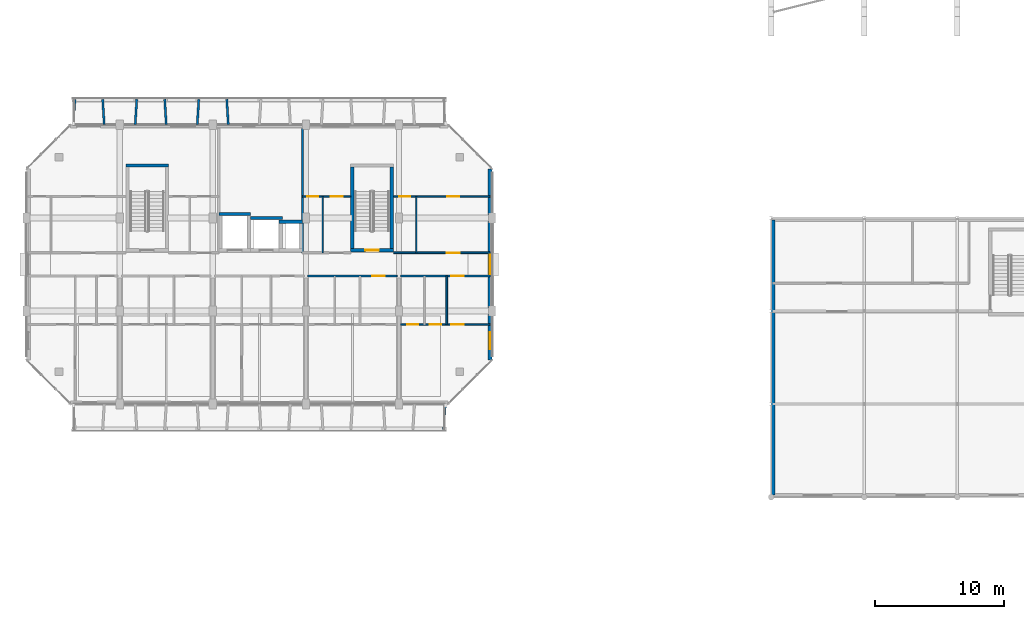
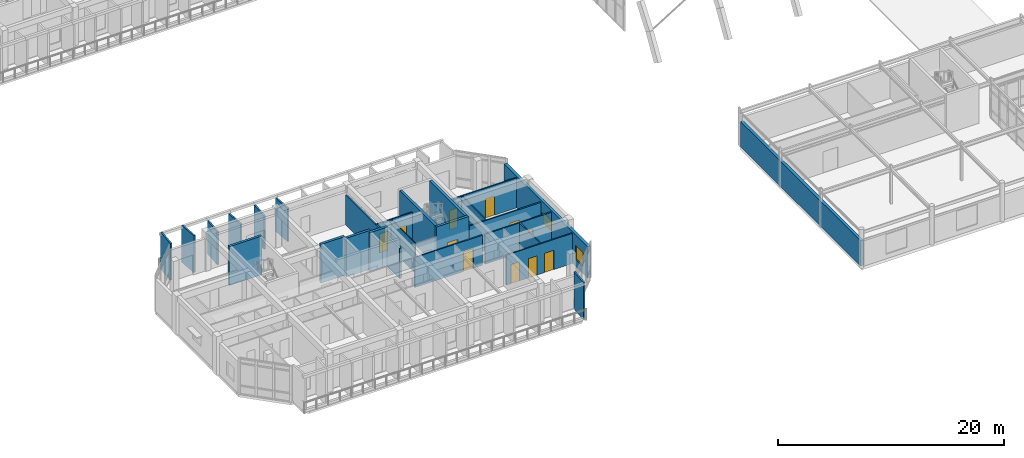
# One storey, part 48 of 85: 26 walls, 11 doors, 2 windows, 13 openings.
"""IFC4 building model written with IfcOpenShell, lengths in metres."""

from ifc_helpers import new_model, si_unit, direction, frame, frame_2d, origin, place, context, subcontext, project, spatial, rectangle, extrude, material, layer, layer_set, type_object, element, fill, save


model = new_model("IFC4")

# Units and contexts
model_context = context("Model", 3, precision=1e-05, world=origin(), true_north=direction((0.0, 1.0)))
body_context = subcontext(model_context, "Body", "Model", "MODEL_VIEW")
ifc_project = project(units=[si_unit("LENGTHUNIT", "METRE"), si_unit("AREAUNIT", "SQUARE_METRE"), si_unit("VOLUMEUNIT", "CUBIC_METRE"), si_unit("PLANEANGLEUNIT", "RADIAN"), si_unit("MASSUNIT", "GRAM", prefix="KILO")], contexts=[model_context])

# Site, building, storey
site_placement = place(None, origin())
site = spatial("IfcSite", under=ifc_project, at=site_placement, CompositionType="ELEMENT")
building_placement = place(site_placement, origin())
building = spatial("IfcBuilding", under=site, at=building_placement, Name="Ochrevale Crest", CompositionType="ELEMENT")
storey_placement = place(building_placement, frame((0.0, 0.0, 4.5)))
storey = spatial("IfcBuildingStorey", under=building, at=storey_placement, Name="L01", CompositionType="ELEMENT", Elevation=4.5)

# Wall, opening, door
ifc_material_1 = material(Name="Gypsum plasterboard", Category="gypsum")
ifc_layer_1 = layer(ifc_material_1, 0.139892578125)
ifc_layer_set_1 = layer_set([ifc_layer_1], Name="Gypsum plasterboard")
wall_type_1 = type_object("IfcWallType", Name="WL-COR-140", PredefinedType="PARTITIONING", material=ifc_layer_set_1)
wall_1_placement = place(storey_placement, frame((21.739990234375, 24.300048828125, 0.0), z_axis=(0.0, 0.0, 1.0), x_axis=(1.0, 0.0, 0.0)))
wall_1 = element("IfcWall", 1, at=wall_1_placement, inside=storey, type_object=wall_type_1, Name="Apartment A-L01-U4 corridor wall", PredefinedType="PARTITIONING", context=body_context, shape_type="SweptSolid", body=[
    extrude(rectangle(XDim=6.919921875, YDim=0.139892578125, at=frame_2d((3.4599609375, 0.0))), origin(), (0.0, 0.0, 1.0), 3.25),
])
opening_1_placement = place(wall_1_placement, frame((5.97509765625, 0.0, 0.0), z_axis=(0.0, 0.0, 1.0), x_axis=(-1.0, 0.0, 0.0)))
opening_1 = element("IfcOpeningElement", 2, at=opening_1_placement, cuts=wall_1, Name="Opening FD01", PredefinedType="OPENING", context=body_context, shape_type="SweptSolid", body=[
    extrude(rectangle(XDim=0.97998046875, YDim=2.10009765625, at=frame_2d((0.489990234375, 1.050048828125))), frame((0.0, 0.080078125, 0.0), z_axis=(0.0, -1.0, 0.0), x_axis=(1.0, 0.0, 0.0)), (0.0, 0.0, 1.0), 0.159912109375),
])
ifc_material_2 = material(Name="Solid-core FSC hardwood", Category="wood")
door_type_1 = type_object("IfcDoorType", Name="DR-APT-950", OperationType="NOTDEFINED", PredefinedType="DOOR", material=ifc_material_2)
door_1_placement = place(opening_1_placement, origin())
door_1 = element("IfcDoor", 3, at=door_1_placement, inside=storey, type_object=door_type_1, Name="Apartment A-L01-U4 entrance door", OperationType="SINGLE_SWING_RIGHT", OverallHeight=2.10009765625, OverallWidth=0.97998046875, PredefinedType="DOOR", context=body_context, shape_type="SweptSolid", body=[
    extrude(rectangle(XDim=0.97998046875, YDim=2.10009765625, at=frame_2d((0.489990234375, 1.050048828125))), frame((0.0, 0.02490234375, 0.0), z_axis=(0.0, -1.0, 0.0), x_axis=(1.0, 0.0, 0.0)), (0.0, 0.0, 1.0), 0.050048828125),
])
fill(opening_1, door_1)

wall_2_placement = place(storey_placement, frame((28.93994140625, 24.300048828125, 0.0), z_axis=(0.0, 0.0, 1.0), x_axis=(1.0, 0.0, 0.0)))
wall_2 = element("IfcWall", 4, at=wall_2_placement, inside=storey, type_object=wall_type_1, Name="Apartment A-L01-U5 corridor wall", PredefinedType="PARTITIONING", context=body_context, shape_type="SweptSolid", body=[
    extrude(rectangle(XDim=6.920166015625, YDim=0.139892578125, at=frame_2d((3.4599609375, 0.0))), origin(), (0.0, 0.0, 1.0), 3.25),
])
opening_2_placement = place(wall_2_placement, frame((4.875, 0.0, 0.0), z_axis=(0.0, 0.0, 1.0), x_axis=(-1.0, 0.0, 0.0)))
opening_2 = element("IfcOpeningElement", 5, at=opening_2_placement, cuts=wall_2, Name="Opening FD01", PredefinedType="OPENING", context=body_context, shape_type="SweptSolid", body=[
    extrude(rectangle(XDim=0.97998046875, YDim=2.10009765625, at=frame_2d((0.489990234375, 1.050048828125))), frame((0.0, 0.080078125, 0.0), z_axis=(0.0, -1.0, 0.0), x_axis=(1.0, 0.0, 0.0)), (0.0, 0.0, 1.0), 0.159912109375),
])
door_2_placement = place(opening_2_placement, origin())
door_2 = element("IfcDoor", 6, at=door_2_placement, inside=storey, type_object=door_type_1, Name="Apartment A-L01-U5 entrance door", OperationType="SINGLE_SWING_RIGHT", OverallHeight=2.10009765625, OverallWidth=0.97998046875, PredefinedType="DOOR", context=body_context, shape_type="SweptSolid", body=[
    extrude(rectangle(XDim=0.97998046875, YDim=2.10009765625, at=frame_2d((0.489990234375, 1.050048828125))), frame((0.0, 0.02490234375, 0.0), z_axis=(0.0, -1.0, 0.0), x_axis=(1.0, 0.0, 0.0)), (0.0, 0.0, 1.0), 0.050048828125),
])
fill(opening_2, door_2)

wall_3_placement = place(storey_placement, frame((28.389892578125, 26.10009765625, 0.0), z_axis=(0.0, 0.0, 1.0), x_axis=(1.0, 0.0, 0.0)))
wall_3 = element("IfcWall", 7, at=wall_3_placement, inside=storey, type_object=wall_type_1, Name="Suite A-L01-CE corridor wall", PredefinedType="PARTITIONING", context=body_context, shape_type="SweptSolid", body=[
    extrude(rectangle(XDim=7.47021484375, YDim=0.139892578125, at=frame_2d((3.735107421875, 0.0))), origin(), (0.0, 0.0, 1.0), 3.25),
])
opening_3_placement = place(wall_3_placement, frame((4.1201171875, 0.0, 0.0)))
opening_3 = element("IfcOpeningElement", 8, at=opening_3_placement, cuts=wall_3, Name="Opening FD01", PredefinedType="OPENING", context=body_context, shape_type="SweptSolid", body=[
    extrude(rectangle(XDim=0.97998046875, YDim=2.10009765625, at=frame_2d((0.489990234375, 1.050048828125))), frame((0.0, 0.080078125, 0.0), z_axis=(0.0, -1.0, 0.0), x_axis=(1.0, 0.0, 0.0)), (0.0, 0.0, 1.0), 0.159912109375),
])
door_3_placement = place(opening_3_placement, origin())
door_3 = element("IfcDoor", 9, at=door_3_placement, inside=storey, type_object=door_type_1, Name="Suite A-L01-CE entrance door", OperationType="SINGLE_SWING_LEFT", OverallHeight=2.10009765625, OverallWidth=0.97998046875, PredefinedType="DOOR", context=body_context, shape_type="SweptSolid", body=[
    extrude(rectangle(XDim=0.97998046875, YDim=2.10009765625, at=frame_2d((0.489990234375, 1.050048828125))), frame((0.0, 0.02490234375, 0.0), z_axis=(0.0, -1.0, 0.0), x_axis=(1.0, 0.0, 0.0)), (0.0, 0.0, 1.0), 0.050048828125),
])
fill(opening_3, door_3)

# Wall
ifc_material_3 = material(Name="Precast concrete C50/60", Category="concrete")
ifc_layer_2 = layer(ifc_material_3, 0.2548828125)
ifc_layer_set_2 = layer_set([ifc_layer_2], Name="Precast concrete C50/60")
wall_type_2 = type_object("IfcWallType", Name="WL-CORE-255", PredefinedType="SHEAR", material=ifc_layer_set_2)
wall_4_placement = place(storey_placement, frame((7.672607421875, 32.85009765625, 0.0), z_axis=(0.0, 0.0, 1.0), x_axis=(1.0, 0.0, 0.0)))
element("IfcWall", 10, at=wall_4_placement, inside=storey, type_object=wall_type_2, Name="Block A L01 Stair 1 precast core shear wall N", PredefinedType="SHEAR", context=body_context, shape_type="SweptSolid", body=[
    extrude(rectangle(XDim=3.304931640625, YDim=0.2548828125, at=frame_2d((1.65234375, 0.0))), origin(), (0.0, 0.0, 1.0), 4.199951171875),
])

# Wall, opening, door
wall_5_placement = place(storey_placement, frame((25.072509765625, 26.300048828125, 0.0), z_axis=(0.0, 0.0, 1.0), x_axis=(1.0, 0.0, 0.0)))
wall_5 = element("IfcWall", 11, at=wall_5_placement, inside=storey, type_object=wall_type_2, Name="Block A L01 Stair 2 precast core shear wall S", PredefinedType="SHEAR", context=body_context, shape_type="SweptSolid", body=[
    extrude(rectangle(XDim=3.304931640625, YDim=0.2548828125, at=frame_2d((1.65234375, 0.0))), origin(), (0.0, 0.0, 1.0), 4.199951171875),
])
opening_4_placement = place(wall_5_placement, frame((1.12744140625, 0.0, 0.0)))
opening_4 = element("IfcOpeningElement", 12, at=opening_4_placement, cuts=wall_5, Name="Opening FD03", PredefinedType="OPENING", context=body_context, shape_type="SweptSolid", body=[
    extrude(rectangle(XDim=1.050048828125, YDim=2.1201171875, at=frame_2d((0.52490234375, 1.06005859375))), frame((0.0, 0.137451171875, 0.0), z_axis=(0.0, -1.0, 0.0), x_axis=(1.0, 0.0, 0.0)), (0.0, 0.0, 1.0), 0.27490234375),
])
door_type_2 = type_object("IfcDoorType", Name="DR-ST-1050", OperationType="NOTDEFINED", PredefinedType="DOOR", material=ifc_material_2)
door_4_placement = place(opening_4_placement, origin())
door_4 = element("IfcDoor", 13, at=door_4_placement, inside=storey, type_object=door_type_2, Name="Block A L01 fire stair 2 door", OperationType="SINGLE_SWING_LEFT", OverallHeight=2.1201171875, OverallWidth=1.050048828125, PredefinedType="DOOR", context=body_context, shape_type="SweptSolid", body=[
    extrude(rectangle(XDim=1.050048828125, YDim=2.1201171875, at=frame_2d((0.52490234375, 1.06005859375))), frame((0.0, 0.02490234375, 0.0), z_axis=(0.0, -1.0, 0.0), x_axis=(1.0, 0.0, 0.0)), (0.0, 0.0, 1.0), 0.050048828125),
])
fill(opening_4, door_4)

# Walls
for number, where, z_axis, x_axis, name in (
    (14, (25.199951171875, 26.427490234375, 0.0), (0.0, 0.0, 1.0), (0.0, 1.0, 0.0), "Block A L01 Stair 2 precast core shear wall W"),
    (15, (28.25, 26.427490234375, 0.0), (0.0, 0.0, 1.0), (0.0, 1.0, 0.0), "Block A L01 Stair 2 precast core shear wall E"),
):
    element("IfcWall", number, at=place(storey_placement, frame(where, z_axis=z_axis, x_axis=x_axis)), inside=storey, type_object=wall_type_2, Name=name, PredefinedType="SHEAR", context=body_context, shape_type="SweptSolid", body=[
        extrude(rectangle(XDim=6.294921875, YDim=0.2548828125, at=frame_2d((3.1474609375, 0.0))), origin(), (0.0, 0.0, 1.0), 4.199951171875),
    ])
wall_6_placement = place(storey_placement, frame((14.87255859375, 29.10009765625, 0.0), z_axis=(0.0, 0.0, 1.0), x_axis=(1.0, 0.0, 0.0)))
element("IfcWall", 16, at=wall_6_placement, inside=storey, type_object=wall_type_2, Name="Block A L01 Lift 1 precast shaft shear wall N", PredefinedType="SHEAR", context=body_context, shape_type="SweptSolid", body=[
    extrude(rectangle(XDim=2.454833984375, YDim=0.2548828125, at=frame_2d((1.2275390625, 0.0))), origin(), (0.0, 0.0, 1.0), 4.199951171875),
])
wall_7_placement = place(storey_placement, frame((17.322509765625, 28.800048828125, 0.0), z_axis=(0.0, 0.0, 1.0), x_axis=(1.0, 0.0, 0.0)))
element("IfcWall", 17, at=wall_7_placement, inside=storey, type_object=wall_type_2, Name="Block A L01 Lift 2 precast shaft shear wall N", PredefinedType="SHEAR", context=body_context, shape_type="SweptSolid", body=[
    extrude(rectangle(XDim=2.455078125, YDim=0.2548828125, at=frame_2d((1.2275390625, 0.0))), origin(), (0.0, 0.0, 1.0), 4.199951171875),
])
wall_8_placement = place(storey_placement, frame((19.5224609375, 28.5, 0.0), z_axis=(0.0, 0.0, 1.0), x_axis=(1.0, 0.0, 0.0)))
element("IfcWall", 18, at=wall_8_placement, inside=storey, type_object=wall_type_2, Name="Block A L01 services riser shaft core wall N", PredefinedType="SHEAR", context=body_context, shape_type="SweptSolid", body=[
    extrude(rectangle(XDim=1.804931640625, YDim=0.2548828125, at=frame_2d((0.90234375, 0.0))), origin(), (0.0, 0.0, 1.0), 4.199951171875),
])

# Wall, openings, windows
ifc_material_4 = material(Name="Clay face brickwork", Category="masonry")
ifc_layer_3 = layer(ifc_material_4, 0.2900390625)
ifc_layer_set_3 = layer_set([ifc_layer_3], Name="Clay face brickwork")
wall_type_3 = type_object("IfcWallType", Name="WL-EXT-BRICK-290", PredefinedType="SOLIDWALL", material=ifc_layer_set_3)
wall_9_placement = place(storey_placement, frame((35.85498046875, 17.800048828125, 0.0), z_axis=(0.0, 0.0, 1.0), x_axis=(0.0, 1.0, 0.0)))
wall_9 = element("IfcWall", 19, at=wall_9_placement, inside=storey, type_object=wall_type_3, Name="Block A L01 external facade wall E3", PredefinedType="SOLIDWALL", context=body_context, shape_type="SweptSolid", body=[
    extrude(rectangle(XDim=14.800048828125, YDim=0.2900390625, at=frame_2d((7.39990234375, 0.0))), origin(), (0.0, 0.0, 1.0), 3.429931640625),
])
opening_5_placement = place(wall_9_placement, frame((6.64990234375, 0.0, 1.050048828125)))
opening_5 = element("IfcOpeningElement", 20, at=opening_5_placement, cuts=wall_9, Name="Opening W18", PredefinedType="OPENING", context=body_context, shape_type="SweptSolid", body=[
    extrude(rectangle(XDim=1.5, YDim=1.14990234375, at=frame_2d((0.75, 0.574951171875))), frame((0.0, 0.155029296875, 0.0), z_axis=(0.0, -1.0, 0.0), x_axis=(1.0, 0.0, 0.0)), (0.0, 0.0, 1.0), 0.31005859375),
])
opening_6_placement = place(wall_9_placement, frame((0.840087890625, 0.0, 0.75)))
opening_6 = element("IfcOpeningElement", 21, at=opening_6_placement, cuts=wall_9, Name="Opening W30", PredefinedType="OPENING", context=body_context, shape_type="SweptSolid", body=[
    extrude(rectangle(XDim=1.300048828125, YDim=1.550048828125, at=frame_2d((0.64990234375, 0.77490234375))), frame((0.0, 0.155029296875, 0.0), z_axis=(0.0, -1.0, 0.0), x_axis=(1.0, 0.0, 0.0)), (0.0, 0.0, 1.0), 0.31005859375),
])
ifc_material_5 = material(Name="Anodised aluminium 6063-T5 and low-E double glazing", Category="aluminium")
window_type_1 = type_object("IfcWindowType", Name="WIN-W18", PartitioningType="SINGLE_PANEL", PredefinedType="WINDOW", material=ifc_material_5)
window_1_placement = place(opening_5_placement, origin())
window_1 = element("IfcWindow", 22, at=window_1_placement, inside=storey, type_object=window_type_1, Name="Block A L01 corridor end daylight window E", OverallHeight=1.14990234375, OverallWidth=1.5, PartitioningType="SINGLE_PANEL", PredefinedType="WINDOW", context=body_context, shape_type="SweptSolid", body=[
    extrude(rectangle(XDim=1.5, YDim=1.14990234375, at=frame_2d((0.75, 0.574951171875))), frame((0.0, 0.030029296875, 0.0), z_axis=(0.0, -1.0, 0.0), x_axis=(1.0, 0.0, 0.0)), (0.0, 0.0, 1.0), 0.06005859375),
])
fill(opening_5, window_1)
window_type_2 = type_object("IfcWindowType", Name="WIN-W30", PartitioningType="SINGLE_PANEL", PredefinedType="WINDOW", material=ifc_material_5)
window_2_placement = place(opening_6_placement, origin())
window_2 = element("IfcWindow", 23, at=window_2_placement, inside=storey, type_object=window_type_2, Name="Block A L01 side suite window E", OverallHeight=1.550048828125, OverallWidth=1.300048828125, PartitioningType="SINGLE_PANEL", PredefinedType="WINDOW", context=body_context, shape_type="SweptSolid", body=[
    extrude(rectangle(XDim=1.300048828125, YDim=1.550048828125, at=frame_2d((0.64990234375, 0.77490234375))), frame((0.0, 0.030029296875, 0.0), z_axis=(0.0, -1.0, 0.0), x_axis=(1.0, 0.0, 0.0)), (0.0, 0.0, 1.0), 0.06005859375),
])
fill(opening_6, window_2)

# Walls
wall_10_placement = place(storey_placement, frame((57.75, 7.35009765625, 0.0), z_axis=(0.0, 0.0, 1.0), x_axis=(0.0, 1.0, 0.0)))
element("IfcWall", 24, at=wall_10_placement, inside=storey, type_object=wall_type_3, Name="Upper Retail Arcade W brick wall", PredefinedType="SOLIDWALL", context=body_context, shape_type="SweptSolid", body=[
    extrude(rectangle(XDim=21.2998046875, YDim=0.2900390625, at=frame_2d((10.64990234375, 0.0))), origin(), (0.0, 0.0, 1.0), 2.739990234375),
])
ifc_material_6 = material(Name="Precast concrete C40/50", Category="concrete")
ifc_layer_4 = layer(ifc_material_6, 0.1650390625)
ifc_layer_set_4 = layer_set([ifc_layer_4], Name="Precast concrete C40/50")
wall_type_4 = type_object("IfcWallType", Name="WL-HC-CHEEK-165", PredefinedType="ELEMENTEDWALL", material=ifc_layer_set_4)
for number, where, z_axis, x_axis, name in (
    (25, (32.39990234375, 14.3798828125, 0.0), (0.0, 0.0, 1.0), (-0.071194071069, -0.997462482625, 0.0), "Block A L01 S precast honeycomb cheek 13"),
    (26, (3.60009765625, 36.02001953125, 0.0), (0.0, 0.0, 1.0), (0.071194071069, 0.997462482625, 0.0), "Block A L01 N precast honeycomb cheek 1"),
):
    element("IfcWall", number, at=place(storey_placement, frame(where, z_axis=z_axis, x_axis=x_axis)), inside=storey, type_object=wall_type_4, Name=name, PredefinedType="ELEMENTEDWALL", context=body_context, shape_type="SweptSolid", body=[
        extrude(rectangle(XDim=1.96484375, YDim=0.1650390625, at=frame_2d((0.982421875, 0.0))), origin(), (0.0, 0.0, 1.0), 4.0),
    ])
wall_11_placement = place(storey_placement, frame((6.0, 36.02001953125, 0.0), z_axis=(0.0, 0.0, 1.0), x_axis=(-0.061170732449, 0.998127317276, 0.0)))
element("IfcWall", 27, at=wall_11_placement, inside=storey, type_object=wall_type_4, Name="Block A L01 N precast honeycomb cheek 2", PredefinedType="ELEMENTEDWALL", context=body_context, shape_type="SweptSolid", body=[
    extrude(rectangle(XDim=1.963623046875, YDim=0.1650390625, at=frame_2d((0.98193359375, 0.0))), origin(), (0.0, 0.0, 1.0), 4.0),
])
for number, where, z_axis, x_axis, name in (
    (28, (8.39990234375, 36.02001953125, 0.0), (0.0, 0.0, 1.0), (0.061170732449, 0.998127317276, 0.0), "Block A L01 N precast honeycomb cheek 3"),
    (29, (10.800048828125, 36.02001953125, 0.0), (0.0, 0.0, 1.0), (-0.061170732449, 0.998127317276, 0.0), "Block A L01 N precast honeycomb cheek 4"),
    (30, (13.199951171875, 36.02001953125, 0.0), (0.0, 0.0, 1.0), (0.061170732449, 0.998127317276, 0.0), "Block A L01 N precast honeycomb cheek 5"),
):
    element("IfcWall", number, at=place(storey_placement, frame(where, z_axis=z_axis, x_axis=x_axis)), inside=storey, type_object=wall_type_4, Name=name, PredefinedType="ELEMENTEDWALL", context=body_context, shape_type="SweptSolid", body=[
        extrude(rectangle(XDim=1.963623046875, YDim=0.1650390625, at=frame_2d((0.98193359375, 0.0))), origin(), (0.0, 0.0, 1.0), 3.580078125),
    ])
wall_12_placement = place(storey_placement, frame((15.60009765625, 36.02001953125, 0.0), z_axis=(0.0, 0.0, 1.0), x_axis=(-0.061170732449, 0.998127317276, 0.0)))
element("IfcWall", 31, at=wall_12_placement, inside=storey, type_object=wall_type_4, Name="Block A L01 N precast honeycomb cheek 6", PredefinedType="ELEMENTEDWALL", context=body_context, shape_type="SweptSolid", body=[
    extrude(rectangle(XDim=1.963623046875, YDim=0.1650390625, at=frame_2d((0.98193359375, 0.0))), origin(), (0.0, 0.0, 1.0), 3.60009765625),
])
ifc_layer_5 = layer(ifc_material_1, 0.1201171875)
ifc_layer_set_5 = layer_set([ifc_layer_5], Name="Gypsum plasterboard")
wall_type_5 = type_object("IfcWallType", Name="WL-PART-120", PredefinedType="PARTITIONING", material=ifc_layer_set_5)
wall_13_placement = place(storey_placement, frame((32.5, 20.550048828125, 0.0), z_axis=(0.0, 0.0, 1.0), x_axis=(0.0, 1.0, 0.0)))
element("IfcWall", 32, at=wall_13_placement, inside=storey, type_object=wall_type_5, Name="Apartment A-L01-U5 kitchen-foyer wall", PredefinedType="PARTITIONING", context=body_context, shape_type="SweptSolid", body=[
    extrude(rectangle(XDim=3.75, YDim=0.1201171875, at=frame_2d((1.875, 0.0))), origin(), (0.0, 0.0, 1.0), 3.25),
])

# Wall, openings, doors
wall_14_placement = place(storey_placement, frame((28.93994140625, 20.550048828125, 0.0), z_axis=(0.0, 0.0, 1.0), x_axis=(1.0, 0.0, 0.0)))
wall_14 = element("IfcWall", 33, at=wall_14_placement, inside=storey, type_object=wall_type_5, Name="Apartment A-L01-U5 central partition", PredefinedType="PARTITIONING", context=body_context, shape_type="SweptSolid", body=[
    extrude(rectangle(XDim=6.920166015625, YDim=0.1201171875, at=frame_2d((3.4599609375, 0.0))), origin(), (0.0, 0.0, 1.0), 3.25),
])
opening_7_placement = place(wall_14_placement, frame((0.5, 0.0, 0.0)))
opening_7 = element("IfcOpeningElement", 34, at=opening_7_placement, cuts=wall_14, Name="Opening ID01", PredefinedType="OPENING", context=body_context, shape_type="SweptSolid", body=[
    extrude(rectangle(XDim=0.85009765625, YDim=2.080078125, at=frame_2d((0.425048828125, 1.0400390625))), frame((0.0, 0.070068359375, 0.0), z_axis=(0.0, -1.0, 0.0), x_axis=(1.0, 0.0, 0.0)), (0.0, 0.0, 1.0), 0.14013671875),
])
opening_8_placement = place(wall_14_placement, frame((3.15478515625, 0.0, 0.0), z_axis=(0.0, 0.0, 1.0), x_axis=(-1.0, 0.0, 0.0)))
opening_8 = element("IfcOpeningElement", 35, at=opening_8_placement, cuts=wall_14, Name="Opening ID02", PredefinedType="OPENING", context=body_context, shape_type="SweptSolid", body=[
    extrude(rectangle(XDim=0.89990234375, YDim=2.080078125, at=frame_2d((0.449951171875, 1.0400390625))), frame((0.0, 0.070068359375, 0.0), z_axis=(0.0, -1.0, 0.0), x_axis=(1.0, 0.0, 0.0)), (0.0, 0.0, 1.0), 0.14013671875),
])
opening_9_placement = place(wall_14_placement, frame((3.909912109375, 0.0, 0.0)))
opening_9 = element("IfcOpeningElement", 36, at=opening_9_placement, cuts=wall_14, Name="Opening ID06", PredefinedType="OPENING", context=body_context, shape_type="SweptSolid", body=[
    extrude(rectangle(XDim=0.949951171875, YDim=2.080078125, at=frame_2d((0.47509765625, 1.0400390625))), frame((0.0, 0.070068359375, 0.0), z_axis=(0.0, -1.0, 0.0), x_axis=(1.0, 0.0, 0.0)), (0.0, 0.0, 1.0), 0.14013671875),
])
door_type_3 = type_object("IfcDoorType", Name="DR-INT-900", OperationType="NOTDEFINED", PredefinedType="DOOR", material=ifc_material_2)
door_5_placement = place(opening_8_placement, origin())
door_5 = element("IfcDoor", 37, at=door_5_placement, inside=storey, type_object=door_type_3, Name="Apartment A-L01-U5 Kitchen door", OperationType="SINGLE_SWING_RIGHT", OverallHeight=2.080078125, OverallWidth=0.89990234375, PredefinedType="DOOR", context=body_context, shape_type="SweptSolid", body=[
    extrude(rectangle(XDim=0.89990234375, YDim=2.080078125, at=frame_2d((0.449951171875, 1.0400390625))), frame((0.0, 0.02490234375, 0.0), z_axis=(0.0, -1.0, 0.0), x_axis=(1.0, 0.0, 0.0)), (0.0, 0.0, 1.0), 0.050048828125),
])
fill(opening_8, door_5)
door_type_4 = type_object("IfcDoorType", Name="DR-INT-950", OperationType="NOTDEFINED", PredefinedType="DOOR", material=ifc_material_2)
door_6_placement = place(opening_9_placement, origin())
door_6 = element("IfcDoor", 38, at=door_6_placement, inside=storey, type_object=door_type_4, Name="Apartment A-L01-U5 Living Foyer door", OperationType="SINGLE_SWING_LEFT", OverallHeight=2.080078125, OverallWidth=0.949951171875, PredefinedType="DOOR", context=body_context, shape_type="SweptSolid", body=[
    extrude(rectangle(XDim=0.949951171875, YDim=2.080078125, at=frame_2d((0.47509765625, 1.0400390625))), frame((0.0, 0.02490234375, 0.0), z_axis=(0.0, -1.0, 0.0), x_axis=(1.0, 0.0, 0.0)), (0.0, 0.0, 1.0), 0.050048828125),
])
fill(opening_9, door_6)
door_type_5 = type_object("IfcDoorType", Name="DR-WC-850", OperationType="NOTDEFINED", PredefinedType="DOOR", material=ifc_material_2)
door_7_placement = place(opening_7_placement, origin())
door_7 = element("IfcDoor", 39, at=door_7_placement, inside=storey, type_object=door_type_5, Name="Apartment A-L01-U5 Bathroom door", OperationType="SINGLE_SWING_LEFT", OverallHeight=2.080078125, OverallWidth=0.85009765625, PredefinedType="DOOR", context=body_context, shape_type="SweptSolid", body=[
    extrude(rectangle(XDim=0.85009765625, YDim=2.080078125, at=frame_2d((0.425048828125, 1.0400390625))), frame((0.0, 0.02490234375, 0.0), z_axis=(0.0, -1.0, 0.0), x_axis=(1.0, 0.0, 0.0)), (0.0, 0.0, 1.0), 0.050048828125),
])
fill(opening_7, door_7)

wall_15_placement = place(storey_placement, frame((21.340087890625, 30.449951171875, 0.0), z_axis=(0.0, 0.0, 1.0), x_axis=(1.0, 0.0, 0.0)))
wall_15 = element("IfcWall", 40, at=wall_15_placement, inside=storey, type_object=wall_type_5, Name="Suite A-L01-ME internal wall", PredefinedType="PARTITIONING", context=body_context, shape_type="SweptSolid", body=[
    extrude(rectangle(XDim=3.719970703125, YDim=0.1201171875, at=frame_2d((1.85986328125, 0.0))), origin(), (0.0, 0.0, 1.0), 3.25),
])
opening_10_placement = place(wall_15_placement, frame((0.356201171875, 0.0, 0.0)))
opening_10 = element("IfcOpeningElement", 41, at=opening_10_placement, cuts=wall_15, Name="Opening ID01", PredefinedType="OPENING", context=body_context, shape_type="SweptSolid", body=[
    extrude(rectangle(XDim=0.85009765625, YDim=2.080078125, at=frame_2d((0.425048828125, 1.0400390625))), frame((0.0, 0.070068359375, 0.0), z_axis=(0.0, -1.0, 0.0), x_axis=(1.0, 0.0, 0.0)), (0.0, 0.0, 1.0), 0.14013671875),
])
opening_11_placement = place(wall_15_placement, frame((3.10107421875, 0.0, 0.0), z_axis=(0.0, 0.0, 1.0), x_axis=(-1.0, 0.0, 0.0)))
opening_11 = element("IfcOpeningElement", 42, at=opening_11_placement, cuts=wall_15, Name="Opening ID04", PredefinedType="OPENING", context=body_context, shape_type="SweptSolid", body=[
    extrude(rectangle(XDim=0.919921875, YDim=2.080078125, at=frame_2d((0.4599609375, 1.0400390625))), frame((0.0, 0.070068359375, 0.0), z_axis=(0.0, -1.0, 0.0), x_axis=(1.0, 0.0, 0.0)), (0.0, 0.0, 1.0), 0.14013671875),
])
door_type_6 = type_object("IfcDoorType", Name="DR-INT-920", OperationType="NOTDEFINED", PredefinedType="DOOR", material=ifc_material_2)
door_8_placement = place(opening_11_placement, origin())
door_8 = element("IfcDoor", 43, at=door_8_placement, inside=storey, type_object=door_type_6, Name="Suite A-L01-ME Garden Alcove Studio door", OperationType="SINGLE_SWING_RIGHT", OverallHeight=2.080078125, OverallWidth=0.919921875, PredefinedType="DOOR", context=body_context, shape_type="SweptSolid", body=[
    extrude(rectangle(XDim=0.919921875, YDim=2.080078125, at=frame_2d((0.4599609375, 1.0400390625))), frame((0.0, 0.02490234375, 0.0), z_axis=(0.0, -1.0, 0.0), x_axis=(1.0, 0.0, 0.0)), (0.0, 0.0, 1.0), 0.050048828125),
])
fill(opening_11, door_8)
door_9_placement = place(opening_10_placement, origin())
door_9 = element("IfcDoor", 44, at=door_9_placement, inside=storey, type_object=door_type_5, Name="Suite A-L01-ME Bathroom door", OperationType="SINGLE_SWING_LEFT", OverallHeight=2.080078125, OverallWidth=0.85009765625, PredefinedType="DOOR", context=body_context, shape_type="SweptSolid", body=[
    extrude(rectangle(XDim=0.85009765625, YDim=2.080078125, at=frame_2d((0.425048828125, 1.0400390625))), frame((0.0, 0.02490234375, 0.0), z_axis=(0.0, -1.0, 0.0), x_axis=(1.0, 0.0, 0.0)), (0.0, 0.0, 1.0), 0.050048828125),
])
fill(opening_10, door_9)

wall_16_placement = place(storey_placement, frame((28.389892578125, 30.449951171875, 0.0), z_axis=(0.0, 0.0, 1.0), x_axis=(1.0, 0.0, 0.0)))
wall_16 = element("IfcWall", 45, at=wall_16_placement, inside=storey, type_object=wall_type_5, Name="Suite A-L01-CE internal wall", PredefinedType="PARTITIONING", context=body_context, shape_type="SweptSolid", body=[
    extrude(rectangle(XDim=7.47021484375, YDim=0.1201171875, at=frame_2d((3.735107421875, 0.0))), origin(), (0.0, 0.0, 1.0), 3.25),
])
opening_12_placement = place(wall_16_placement, frame((1.300048828125, 0.0, 0.0), z_axis=(0.0, 0.0, 1.0), x_axis=(-1.0, 0.0, 0.0)))
opening_12 = element("IfcOpeningElement", 46, at=opening_12_placement, cuts=wall_16, Name="Opening ID01", PredefinedType="OPENING", context=body_context, shape_type="SweptSolid", body=[
    extrude(rectangle(XDim=0.85009765625, YDim=2.080078125, at=frame_2d((0.425048828125, 1.0400390625))), frame((0.0, 0.070068359375, 0.0), z_axis=(0.0, -1.0, 0.0), x_axis=(1.0, 0.0, 0.0)), (0.0, 0.0, 1.0), 0.14013671875),
])
opening_13_placement = place(wall_16_placement, frame((4.14990234375, 0.0, 0.0)))
opening_13 = element("IfcOpeningElement", 47, at=opening_13_placement, cuts=wall_16, Name="Opening ID04", PredefinedType="OPENING", context=body_context, shape_type="SweptSolid", body=[
    extrude(rectangle(XDim=0.919921875, YDim=2.080078125, at=frame_2d((0.4599609375, 1.0400390625))), frame((0.0, 0.070068359375, 0.0), z_axis=(0.0, -1.0, 0.0), x_axis=(1.0, 0.0, 0.0)), (0.0, 0.0, 1.0), 0.14013671875),
])
door_10_placement = place(opening_13_placement, origin())
door_10 = element("IfcDoor", 48, at=door_10_placement, inside=storey, type_object=door_type_6, Name="Suite A-L01-CE Master Bedroom door", OperationType="SINGLE_SWING_LEFT", OverallHeight=2.080078125, OverallWidth=0.919921875, PredefinedType="DOOR", context=body_context, shape_type="SweptSolid", body=[
    extrude(rectangle(XDim=0.919921875, YDim=2.080078125, at=frame_2d((0.4599609375, 1.0400390625))), frame((0.0, 0.02490234375, 0.0), z_axis=(0.0, -1.0, 0.0), x_axis=(1.0, 0.0, 0.0)), (0.0, 0.0, 1.0), 0.050048828125),
])
fill(opening_13, door_10)
door_11_placement = place(opening_12_placement, origin())
door_11 = element("IfcDoor", 49, at=door_11_placement, inside=storey, type_object=door_type_5, Name="Suite A-L01-CE Bathroom door", OperationType="SINGLE_SWING_RIGHT", OverallHeight=2.080078125, OverallWidth=0.85009765625, PredefinedType="DOOR", context=body_context, shape_type="SweptSolid", body=[
    extrude(rectangle(XDim=0.85009765625, YDim=2.080078125, at=frame_2d((0.425048828125, 1.0400390625))), frame((0.0, 0.02490234375, 0.0), z_axis=(0.0, -1.0, 0.0), x_axis=(1.0, 0.0, 0.0)), (0.0, 0.0, 1.0), 0.050048828125),
])
fill(opening_12, door_11)

# Walls
ifc_layer_6 = layer(ifc_material_1, 0.169921875)
ifc_layer_set_6 = layer_set([ifc_layer_6], Name="Gypsum plasterboard")
wall_type_6 = type_object("IfcWallType", Name="WL-TEN-170", PredefinedType="PARTITIONING", material=ifc_layer_set_6)
wall_17_placement = place(storey_placement, frame((21.340087890625, 26.10009765625, 0.0), z_axis=(0.0, 0.0, 1.0), x_axis=(0.0, 1.0, 0.0)))
element("IfcWall", 50, at=wall_17_placement, inside=storey, type_object=wall_type_6, Name="Suite A-L01-ME west party wall", PredefinedType="PARTITIONING", context=body_context, shape_type="SweptSolid", body=[
    extrude(rectangle(XDim=9.599853515625, YDim=0.169921875, at=frame_2d((4.7998046875, 0.0))), origin(), (0.0, 0.0, 1.0), 3.25),
])
ifc_layer_7 = layer(ifc_material_1, 0.10009765625)
ifc_layer_set_7 = layer_set([ifc_layer_7], Name="Gypsum plasterboard")
wall_type_7 = type_object("IfcWallType", Name="WL-WET-100", PredefinedType="PARTITIONING", material=ifc_layer_set_7)
for number, where, z_axis, x_axis, name in (
    (51, (22.90234375, 26.10009765625, 0.0), (0.0, 0.0, 1.0), (0.0, 1.0, 0.0), "Suite A-L01-ME bathroom divider"),
    (52, (30.139892578125, 26.10009765625, 0.0), (0.0, 0.0, 1.0), (0.0, 1.0, 0.0), "Suite A-L01-CE bathroom divider"),
):
    element("IfcWall", number, at=place(storey_placement, frame(where, z_axis=z_axis, x_axis=x_axis)), inside=storey, type_object=wall_type_7, Name=name, PredefinedType="PARTITIONING", context=body_context, shape_type="SweptSolid", body=[
        extrude(rectangle(XDim=4.349853515625, YDim=0.10009765625, at=frame_2d((2.1748046875, 0.0))), origin(), (0.0, 0.0, 1.0), 3.25),
    ])

save(model, "model.ifc")
